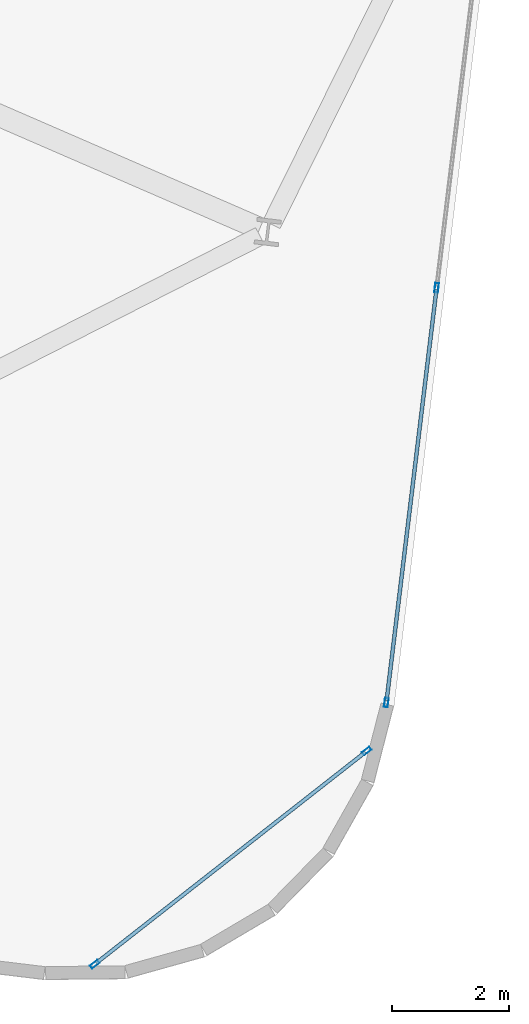
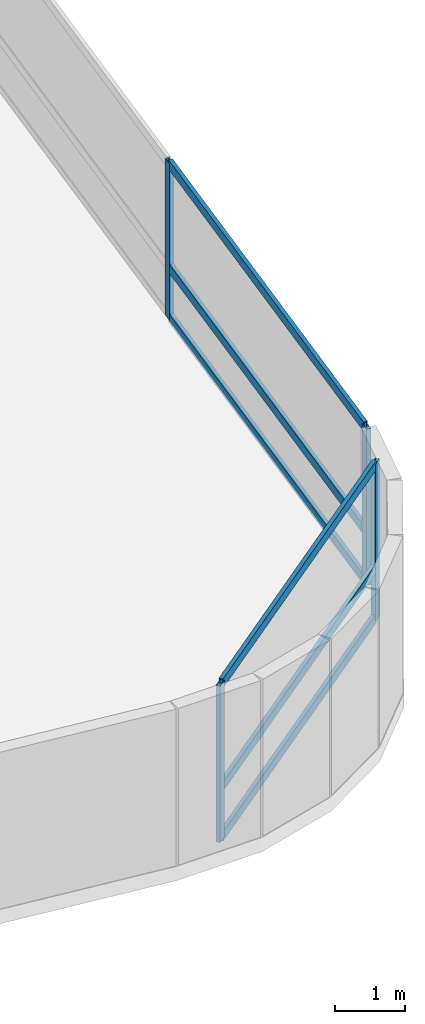
# One storey, part 14 of 26: 10 members, 2 elements without a shape of their own.
"""IFC4 building model written with IfcOpenShell, lengths in metres."""

from ifc_helpers import new_model, si_unit, direction, frame, origin, origin_2d, place, context, subcontext, project, spatial, hollow_rectangle, extrude, material, layer, layer_set, material_profile, profile_set, type_object, element, aggregate, save


model = new_model("IFC4")

# Units and contexts
model_context = context("Model", 3, precision=1e-05, world=origin(), true_north=direction((0.0, 1.0)))
body_context = subcontext(model_context, "Body", "Model", "MODEL_VIEW")
ifc_project = project(units=[si_unit("LENGTHUNIT", "METRE"), si_unit("AREAUNIT", "SQUARE_METRE"), si_unit("VOLUMEUNIT", "CUBIC_METRE"), si_unit("PLANEANGLEUNIT", "RADIAN"), si_unit("MASSUNIT", "GRAM", prefix="KILO")], contexts=[model_context])

# Site, building, storey
site_placement = place(None, origin())
site = spatial("IfcSite", under=ifc_project, at=site_placement, CompositionType="ELEMENT")
building_placement = place(site_placement, origin())
building = spatial("IfcBuilding", under=site, at=building_placement, Name="Varnelok Gate Tower", CompositionType="ELEMENT")
storey_placement = place(building_placement, frame((0.0, 0.0, 121.699951171875)))
storey = spatial("IfcBuildingStorey", under=building, at=storey_placement, Name="L30", CompositionType="ELEMENT", Elevation=121.699951171875)

# Curtain wall, members
ifc_material = material(Name="Anodized Aluminum Alloy 6063-T6", Category="aluminium")
ifc_layer_1 = layer(ifc_material, 0.179931640625)
ifc_layer_set_1 = layer_set([ifc_layer_1], Name="Anodized Aluminum Alloy 6063-T6")
curtain_wall_type_1 = type_object("IfcCurtainWallType", Name="CW3-HOTEL-VISION", PredefinedType="USERDEFINED", material=ifc_layer_set_1)
curtain_wall_1_placement = place(storey_placement, origin())
curtain_wall_1 = element("IfcCurtainWall", 1, at=curtain_wall_1_placement, inside=storey, type_object=curtain_wall_type_1, Name="L30 East End Vision Curtain Wall", ObjectType="UNITISED CURTAIN WALL", PredefinedType="USERDEFINED")
ifc_material_profile_1 = material_profile(ifc_material, hollow_rectangle(XDim=0.06494140625, YDim=0.159912109375, WallThickness=0.00390625, at=origin_2d()), Name="ALU160X65X4")
ifc_profile_set_1 = profile_set([ifc_material_profile_1], Name="Anodized Aluminum Alloy 6063-T6")
member_type_1 = type_object("IfcMemberType", Name="CW-MULL-160", PredefinedType="MULLION", material=ifc_profile_set_1)
member_1_placement = place(storey_placement, frame((74.69091796875, 10.118408203125, 0.0), z_axis=(0.0, 0.0, 1.0), x_axis=(0.99273188146, -0.120347046212, 0.0)))
member_1 = element("IfcMember", 2, at=member_1_placement, type_object=member_type_1, Name="CW3 mullion 5", PredefinedType="MULLION", context=body_context, shape_type="SweptSolid", body=[
    extrude(hollow_rectangle(XDim=0.06494140625, YDim=0.159912109375, WallThickness=0.00390625, at=origin_2d()), origin(), (0.0, 0.0, 1.0), 2.72998046875),
])
member_2_placement = place(storey_placement, frame((73.828369140625, 3.003173828125, 0.0), z_axis=(0.0, 0.0, 1.0), x_axis=(0.99273188146, -0.120347046212, 0.0)))
member_2 = element("IfcMember", 3, at=member_2_placement, type_object=member_type_1, Name="CW3 mullion 6", PredefinedType="MULLION", context=body_context, shape_type="SweptSolid", body=[
    extrude(hollow_rectangle(XDim=0.06494140625, YDim=0.159912109375, WallThickness=0.00390625, at=origin_2d()), origin(), (0.0, 0.0, 1.0), 2.72998046875),
])

ifc_layer_2 = layer(ifc_material, 0.179931640625)
ifc_layer_set_2 = layer_set([ifc_layer_2], Name="Anodized Aluminum Alloy 6063-T6")
curtain_wall_type_2 = type_object("IfcCurtainWallType", Name="CW5-WINDCORNER-GLAZ", PredefinedType="USERDEFINED", material=ifc_layer_set_2)
curtain_wall_2_placement = place(storey_placement, origin())
curtain_wall_2 = element("IfcCurtainWall", 4, at=curtain_wall_2_placement, inside=storey, type_object=curtain_wall_type_2, Name="L30 Wind-Shaped Corner Curtain Wall SE", ObjectType="STRUCTURAL GLAZING", PredefinedType="USERDEFINED")
member_3_placement = place(storey_placement, frame((68.824462890625, -1.48681640625, 0.0), z_axis=(0.0, 0.0, 1.0), x_axis=(-0.616864352232, 0.787069482921, 0.0)))
member_3 = element("IfcMember", 5, at=member_3_placement, type_object=member_type_1, Name="CW5 mullion 1", PredefinedType="MULLION", context=body_context, shape_type="SweptSolid", body=[
    extrude(hollow_rectangle(XDim=0.06494140625, YDim=0.159912109375, WallThickness=0.00390625, at=origin_2d()), origin(), (0.0, 0.0, 1.0), 2.72998046875),
])
member_4_placement = place(storey_placement, frame((73.492919921875, 2.171875, 0.0), z_axis=(0.0, 0.0, 1.0), x_axis=(-0.616864352232, 0.787069482921, 0.0)))
member_4 = element("IfcMember", 6, at=member_4_placement, type_object=member_type_1, Name="CW5 mullion 2", PredefinedType="MULLION", context=body_context, shape_type="SweptSolid", body=[
    extrude(hollow_rectangle(XDim=0.06494140625, YDim=0.159912109375, WallThickness=0.00390625, at=origin_2d()), origin(), (0.0, 0.0, 1.0), 2.72998046875),
])

# Member
ifc_material_profile_2 = material_profile(ifc_material, hollow_rectangle(XDim=0.06494140625, YDim=0.159912109375, WallThickness=0.00390625, at=origin_2d()), Name="ALU160X65X4")
ifc_profile_set_2 = profile_set([ifc_material_profile_2], Name="Anodized Aluminum Alloy 6063-T6")
member_type_2 = type_object("IfcMemberType", Name="CW-TRAN-160", PredefinedType="USERDEFINED", material=ifc_profile_set_2)
member_5_placement = place(storey_placement, frame((74.68701171875, 10.086181640625, 0.032470703125), z_axis=(-0.120344712857, -0.992732164326, 0.0), x_axis=(0.992732164326, -0.120344712857, 0.0)))
member_5 = element("IfcMember", 7, at=member_5_placement, type_object=member_type_2, Name="CW3 transom 5.1", ObjectType="TRANSOM", PredefinedType="USERDEFINED", context=body_context, shape_type="SweptSolid", body=[
    extrude(hollow_rectangle(XDim=0.06494140625, YDim=0.159912109375, WallThickness=0.00390625, at=origin_2d()), origin(), (0.0, 0.0, 1.0), 7.102294921875),
])

member_6_placement = place(storey_placement, frame((74.68701171875, 10.086181640625, 0.900146484375), z_axis=(-0.120344712857, -0.992732164326, 0.0), x_axis=(0.992732164326, -0.120344712857, 0.0)))
member_6 = element("IfcMember", 8, at=member_6_placement, type_object=member_type_2, Name="CW3 transom 5.2", ObjectType="TRANSOM", PredefinedType="USERDEFINED", context=body_context, shape_type="SweptSolid", body=[
    extrude(hollow_rectangle(XDim=0.06494140625, YDim=0.159912109375, WallThickness=0.00390625, at=origin_2d()), origin(), (0.0, 0.0, 1.0), 7.102294921875),
])

member_7_placement = place(storey_placement, frame((74.68701171875, 10.086181640625, 2.697509765625), z_axis=(-0.120344712857, -0.992732164326, 0.0), x_axis=(0.992732164326, -0.120344712857, 0.0)))
member_7 = element("IfcMember", 9, at=member_7_placement, type_object=member_type_2, Name="CW3 transom 5.3", ObjectType="TRANSOM", PredefinedType="USERDEFINED", context=body_context, shape_type="SweptSolid", body=[
    extrude(hollow_rectangle(XDim=0.06494140625, YDim=0.159912109375, WallThickness=0.00390625, at=origin_2d()), origin(), (0.0, 0.0, 1.0), 7.102294921875),
])

aggregate(curtain_wall_1, [member_1, member_2, member_5, member_6, member_7])

member_8_placement = place(storey_placement, frame((68.85009765625, -1.466796875, 0.032470703125), z_axis=(0.787074482704, 0.616857972856, 0.0), x_axis=(-0.616857972856, 0.787074482704, 0.0)))
member_8 = element("IfcMember", 10, at=member_8_placement, type_object=member_type_2, Name="CW5 transom 1.1", ObjectType="TRANSOM", PredefinedType="USERDEFINED", context=body_context, shape_type="SweptSolid", body=[
    extrude(hollow_rectangle(XDim=0.06494140625, YDim=0.159912109375, WallThickness=0.00390625, at=origin_2d()), origin(), (0.0, 0.0, 1.0), 5.8662109375),
])

member_9_placement = place(storey_placement, frame((68.85009765625, -1.466796875, 0.900146484375), z_axis=(0.787074482704, 0.616857972856, 0.0), x_axis=(-0.616857972856, 0.787074482704, 0.0)))
member_9 = element("IfcMember", 11, at=member_9_placement, type_object=member_type_2, Name="CW5 transom 1.2", ObjectType="TRANSOM", PredefinedType="USERDEFINED", context=body_context, shape_type="SweptSolid", body=[
    extrude(hollow_rectangle(XDim=0.06494140625, YDim=0.159912109375, WallThickness=0.00390625, at=origin_2d()), origin(), (0.0, 0.0, 1.0), 5.8662109375),
])

member_10_placement = place(storey_placement, frame((68.85009765625, -1.466796875, 2.697509765625), z_axis=(0.787074482704, 0.616857972856, 0.0), x_axis=(-0.616857972856, 0.787074482704, 0.0)))
member_10 = element("IfcMember", 12, at=member_10_placement, type_object=member_type_2, Name="CW5 transom 1.3", ObjectType="TRANSOM", PredefinedType="USERDEFINED", context=body_context, shape_type="SweptSolid", body=[
    extrude(hollow_rectangle(XDim=0.06494140625, YDim=0.159912109375, WallThickness=0.00390625, at=origin_2d()), origin(), (0.0, 0.0, 1.0), 5.8662109375),
])

aggregate(curtain_wall_2, [member_3, member_4, member_8, member_9, member_10])

save(model, "model.ifc")
